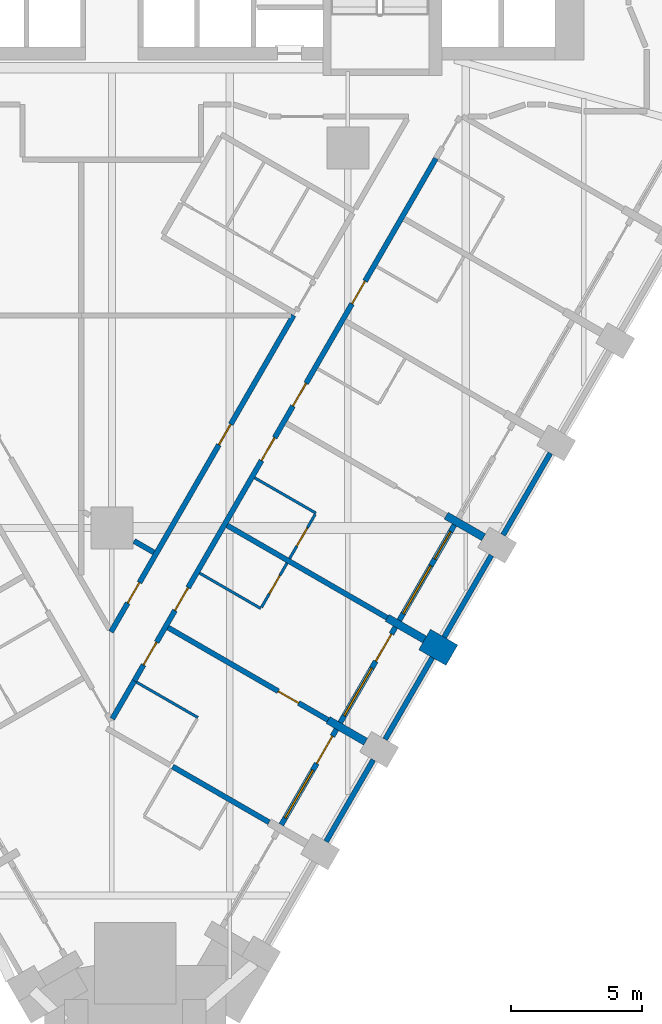
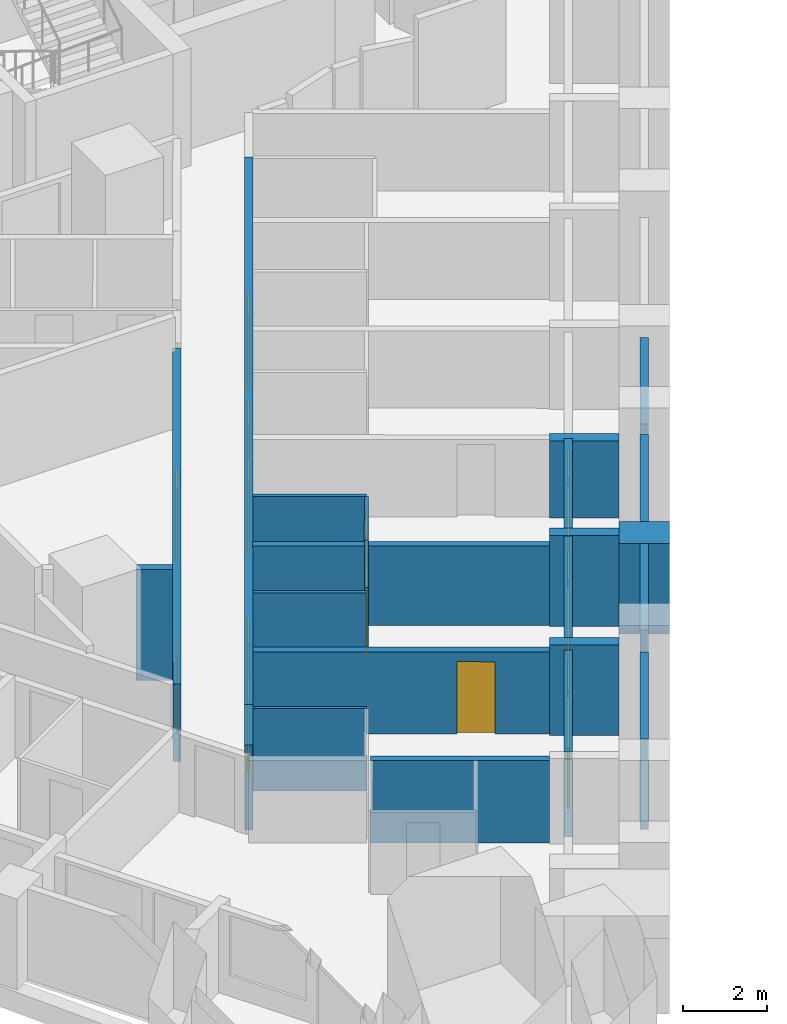
# One storey, part 5 of 12: 23 walls, 13 doors, 3 windows, 16 openings.
"""IFC4 building model written with IfcOpenShell, lengths in metres."""

from ifc_helpers import new_model, si_unit, direction, frame, frame_2d, origin, place, context, subcontext, project, spatial, polyline, rectangle, outline, extrude, material, layer, layer_set, type_object, element, fill, save


model = new_model("IFC4")

# Units and contexts
model_context = context("Model", 3, precision=1e-05, world=origin(), true_north=direction((0.0, 1.0)))
body_context = subcontext(model_context, "Body", "Model", "MODEL_VIEW")
ifc_project = project(units=[si_unit("LENGTHUNIT", "METRE"), si_unit("AREAUNIT", "SQUARE_METRE"), si_unit("VOLUMEUNIT", "CUBIC_METRE"), si_unit("PLANEANGLEUNIT", "RADIAN"), si_unit("MASSUNIT", "GRAM", prefix="KILO")], contexts=[model_context])

# Site, building, storey
site_placement = place(None, origin())
site = spatial("IfcSite", under=ifc_project, at=site_placement, CompositionType="ELEMENT")
building_placement = place(site_placement, origin())
building = spatial("IfcBuilding", under=site, at=building_placement, Name="Calabash Gate Tower", CompositionType="ELEMENT")
storey_placement = place(building_placement, frame((0.0, 0.0, 83.39990234375)))
storey = spatial("IfcBuildingStorey", under=building, at=storey_placement, Name="L17", CompositionType="ELEMENT", Elevation=83.39990234375)

# Walls
ifc_material_1 = material(Name="Terracotta brick masonry, exposed face", Category="masonry")
ifc_layer_1 = layer(ifc_material_1, 1.199951171875)
ifc_layer_set_1 = layer_set([ifc_layer_1], Name="Brick end wall 1200")
wall_type_1 = type_object("IfcWallType", Name="Brick end wall 1200", PredefinedType="SOLIDWALL", material=ifc_layer_set_1)
wall_1_placement = place(storey_placement, frame((11.927978515625, -16.245361328125, 0.0), z_axis=(0.0, 0.0, 1.0), x_axis=(0.865955154139, -0.50012165622, 0.0)))
element("IfcWall", 1, at=wall_1_placement, inside=storey, type_object=wall_type_1, Name="Brick pier S04 SE2.3", PredefinedType="SOLIDWALL", context=body_context, shape_type="SweptSolid", body=[
    extrude(rectangle(XDim=1.199951171875, YDim=0.89990234375, at=frame_2d((0.60009765625, 0.0))), origin(), (0.0, 0.0, 1.0), 2.630126953125),
])
ifc_material_2 = material(Name="Terracotta brick masonry, exposed face", Category="masonry")
ifc_layer_2 = layer(ifc_material_2, 0.300048828125)
ifc_layer_set_2 = layer_set([ifc_layer_2], Name="Brick loggia cheek wall 300")
wall_type_2 = type_object("IfcWallType", Name="Brick loggia cheek wall 300", PredefinedType="SOLIDWALL", material=ifc_layer_set_2)
wall_2_placement = place(storey_placement, frame((9.677734375, -20.142578125, 0.0), z_axis=(0.0, 0.0, 1.0), x_axis=(-0.866003217194, 0.500038426333, 0.0)))
element("IfcWall", 2, at=wall_2_placement, inside=storey, type_object=wall_type_2, Name="Loggia cheek S04 SE2.2", PredefinedType="SOLIDWALL", context=body_context, shape_type="SweptSolid", body=[
    extrude(rectangle(XDim=1.649658203125, YDim=0.300048828125, at=frame_2d((0.82470703125, 0.0))), origin(), (0.0, 0.0, 1.0), 2.628173828125),
])
wall_3_placement = place(storey_placement, frame((10.4990234375, -15.42041015625, 0.0), z_axis=(0.0, 0.0, 1.0), x_axis=(0.866040211805, -0.499974350878, 0.0)))
element("IfcWall", 3, at=wall_3_placement, inside=storey, type_object=wall_type_2, Name="Loggia cheek S04 SE2.3", PredefinedType="SOLIDWALL", context=body_context, shape_type="SweptSolid", body=[
    extrude(rectangle(XDim=1.64990234375, YDim=0.300048828125, at=frame_2d((0.824951171875, 0.0))), origin(), (0.0, 0.0, 1.0), 2.650146484375),
])
wall_4_placement = place(storey_placement, frame((12.7490234375, -11.5234375, 0.0), z_axis=(0.0, 0.0, 1.0), x_axis=(0.865993292597, -0.500055614084, 0.0)))
element("IfcWall", 4, at=wall_4_placement, inside=storey, type_object=wall_type_2, Name="Loggia cheek S04 SE2.4", PredefinedType="SOLIDWALL", context=body_context, shape_type="SweptSolid", body=[
    extrude(rectangle(XDim=1.649169921875, YDim=0.300048828125, at=frame_2d((0.82470703125, 0.0))), origin(), (0.0, 0.0, 1.0), 2.24169921875),
])
ifc_material_3 = material(Name="Gypsum board on steel studs, mineral wool", Category="steel")
ifc_layer_3 = layer(ifc_material_3, 0.10009765625)
ifc_layer_set_3 = layer_set([ifc_layer_3], Name="Partition 100 gypsum board")
wall_type_3 = type_object("IfcWallType", Name="Partition 100 gypsum board", PredefinedType="PARTITIONING", material=ifc_layer_set_3)
wall_5_placement = place(storey_placement, frame((0.94287109375, -17.87255859375, 0.0), z_axis=(0.0, 0.0, 1.0), x_axis=(0.866339109022, -0.499456252518, 0.0)))
element("IfcWall", 5, at=wall_5_placement, inside=storey, type_object=wall_type_3, Name="Partition", PredefinedType="PARTITIONING", context=body_context, shape_type="SweptSolid", body=[
    extrude(rectangle(XDim=2.69970703125, YDim=0.10009765625, at=frame_2d((1.349853515625, 0.0))), origin(), (0.0, 0.0, 1.0), 2.38427734375),
])

# Wall, opening, door
wall_6_placement = place(storey_placement, frame((5.706787109375, -15.020751953125, 0.0), z_axis=(0.0, 0.0, 1.0), x_axis=(0.49995005938, 0.866054235095, 0.0)))
wall_6 = element("IfcWall", 6, at=wall_6_placement, inside=storey, type_object=wall_type_3, Name="Partition", PredefinedType="PARTITIONING", context=body_context, shape_type="SweptSolid", body=[
    extrude(rectangle(XDim=1.949951171875, YDim=0.10009765625, at=frame_2d((0.97509765625, 0.0))), origin(), (0.0, 0.0, 1.0), 2.4736328125),
])
opening_1_placement = place(wall_6_placement, frame((0.60009765625, 0.0, 0.0)))
opening_1 = element("IfcOpeningElement", 7, at=opening_1_placement, cuts=wall_6, Name="Opening 15-17-016", PredefinedType="OPENING", context=body_context, shape_type="SweptSolid", body=[
    extrude(rectangle(XDim=0.800048828125, YDim=2.10009765625, at=frame_2d((0.39990234375, 1.050048828125))), frame((0.0, 0.06005859375, 0.0), z_axis=(0.0, -1.0, 0.0), x_axis=(1.0, 0.0, 0.0)), (0.0, 0.0, 1.0), 0.1201171875),
])
ifc_material_4 = material(Name="Painted timber door", Category="wood")
door_type_1 = type_object("IfcDoorType", Name="GD5 En-suite door 800x2100", OperationType="NOTDEFINED", PredefinedType="DOOR", material=ifc_material_4)
door_1_placement = place(opening_1_placement, origin())
door_1 = element("IfcDoor", 8, at=door_1_placement, inside=storey, type_object=door_type_1, Name="En-suite door", OperationType="SINGLE_SWING_RIGHT", OverallHeight=2.10009765625, OverallWidth=0.800048828125, PredefinedType="DOOR", context=body_context, shape_type="SweptSolid", body=[
    extrude(rectangle(XDim=0.800048828125, YDim=2.10009765625, at=frame_2d((0.39990234375, 1.050048828125))), frame((0.0, 0.02490234375, 0.0), z_axis=(0.0, -1.0, 0.0), x_axis=(1.0, 0.0, 0.0)), (0.0, 0.0, 1.0), 0.050048828125),
])
fill(opening_1, door_1)

# Wall
wall_7_placement = place(storey_placement, frame((3.344482421875, -13.712890625, 0.0), z_axis=(0.0, 0.0, 1.0), x_axis=(0.86571095196, -0.500544251447, 0.0)))
element("IfcWall", 9, at=wall_7_placement, inside=storey, type_object=wall_type_3, Name="Partition", PredefinedType="PARTITIONING", context=body_context, shape_type="SweptSolid", body=[
    extrude(rectangle(XDim=2.69970703125, YDim=0.10009765625, at=frame_2d((1.349853515625, 0.0))), origin(), (0.0, 0.0, 1.0), 2.38427734375),
])

# Wall, opening, door
wall_8_placement = place(storey_placement, frame((6.780517578125, -13.157958984375, 0.0), z_axis=(0.0, 0.0, 1.0), x_axis=(0.50063639091, 0.865657671425, 0.0)))
wall_8 = element("IfcWall", 10, at=wall_8_placement, inside=storey, type_object=wall_type_3, Name="Partition", PredefinedType="PARTITIONING", context=body_context, shape_type="SweptSolid", body=[
    extrude(rectangle(XDim=1.94970703125, YDim=0.10009765625, at=frame_2d((0.974853515625, 0.0))), origin(), (0.0, 0.0, 1.0), 2.24169921875),
])
opening_2_placement = place(wall_8_placement, frame((0.5498046875, 0.0, 0.0)))
opening_2 = element("IfcOpeningElement", 11, at=opening_2_placement, cuts=wall_8, Name="Opening 15-17-019", PredefinedType="OPENING", context=body_context, shape_type="SweptSolid", body=[
    extrude(rectangle(XDim=0.800048828125, YDim=2.10009765625, at=frame_2d((0.39990234375, 1.050048828125))), frame((0.0, 0.06005859375, 0.0), z_axis=(0.0, -1.0, 0.0), x_axis=(1.0, 0.0, 0.0)), (0.0, 0.0, 1.0), 0.1201171875),
])
door_2_placement = place(opening_2_placement, origin())
door_2 = element("IfcDoor", 12, at=door_2_placement, inside=storey, type_object=door_type_1, Name="En-suite door", OperationType="SINGLE_SWING_LEFT", OverallHeight=2.10009765625, OverallWidth=0.800048828125, PredefinedType="DOOR", context=body_context, shape_type="SweptSolid", body=[
    extrude(rectangle(XDim=0.800048828125, YDim=2.10009765625, at=frame_2d((0.39990234375, 1.050048828125))), frame((0.0, 0.02490234375, 0.0), z_axis=(0.0, -1.0, 0.0), x_axis=(1.0, 0.0, 0.0)), (0.0, 0.0, 1.0), 0.050048828125),
])
fill(opening_2, door_2)

# Walls
wall_9_placement = place(storey_placement, frame((5.44287109375, -10.078369140625, 0.0), z_axis=(0.0, 0.0, 1.0), x_axis=(0.866339109022, -0.499456252518, 0.0)))
element("IfcWall", 13, at=wall_9_placement, inside=storey, type_object=wall_type_3, Name="Partition", PredefinedType="PARTITIONING", context=body_context, shape_type="SweptSolid", body=[
    extrude(rectangle(XDim=2.69970703125, YDim=0.10009765625, at=frame_2d((1.349853515625, 0.0))), origin(), (0.0, 0.0, 1.0), 2.24169921875),
])
ifc_material_5 = material(Name="Gypsum board on steel studs, mineral wool", Category="steel")
ifc_layer_4 = layer(ifc_material_5, 0.199951171875)
ifc_layer_set_4 = layer_set([ifc_layer_4], Name="Partition 200 gypsum board EI 60")
wall_type_4 = type_object("IfcWallType", Name="Partition 200 gypsum board EI 60", PredefinedType="PARTITIONING", material=ifc_layer_set_4)
wall_10_placement = place(storey_placement, frame((2.3173828125, -21.09130859375, 0.0), z_axis=(0.0, 0.0, 1.0), x_axis=(0.866014341725, -0.50001915956, 0.0)))
element("IfcWall", 14, at=wall_10_placement, inside=storey, type_object=wall_type_4, Name="Partition", PredefinedType="PARTITIONING", context=body_context, shape_type="SweptSolid", body=[
    extrude(rectangle(XDim=4.249755859375, YDim=0.199951171875, at=frame_2d((2.125, 0.0))), origin(), (0.0, 0.0, 1.0), 2.38427734375),
])
wall_11_placement = place(storey_placement, frame((0.02099609375, -19.268798828125, 0.0), z_axis=(0.0, 0.0, 1.0), x_axis=(0.501053540398, 0.865416286913, 0.0)))
element("IfcWall", 15, at=wall_11_placement, inside=storey, type_object=wall_type_4, Name="Partition", PredefinedType="PARTITIONING", context=body_context, shape_type="SweptSolid", body=[
    extrude(rectangle(XDim=1.671875, YDim=0.199951171875, at=frame_2d((0.8359375, 0.0))), origin(), (0.0, 0.0, 1.0), 2.4736328125),
])

# Wall, openings, doors
wall_12_placement = place(storey_placement, frame((-0.02880859375, -15.95458984375, 0.0), z_axis=(0.0, 0.0, 1.0), x_axis=(0.499541892375, 0.866289730842, 0.0)))
wall_12 = element("IfcWall", 16, at=wall_12_placement, inside=storey, type_object=wall_type_4, Name="Partition", PredefinedType="PARTITIONING", context=body_context, shape_type="SweptSolid", body=[
    extrude(rectangle(XDim=13.93017578125, YDim=0.199951171875, at=frame_2d((6.965087890625, 0.0))), origin(), (0.0, 0.0, 1.0), 2.24169921875),
])
opening_3_placement = place(wall_12_placement, frame((1.26953125, 0.0, 0.0)))
opening_3 = element("IfcOpeningElement", 17, at=opening_3_placement, cuts=wall_12, Name="Opening 15-17-029", PredefinedType="OPENING", context=body_context, shape_type="SweptSolid", body=[
    extrude(rectangle(XDim=0.89990234375, YDim=2.10009765625, at=frame_2d((0.449951171875, 1.050048828125))), frame((0.0, 0.10986328125, 0.0), z_axis=(0.0, -1.0, 0.0), x_axis=(1.0, 0.0, 0.0)), (0.0, 0.0, 1.0), 0.219970703125),
])
opening_4_placement = place(wall_12_placement, frame((8.23486328125, 0.0, 0.0)))
opening_4 = element("IfcOpeningElement", 18, at=opening_4_placement, cuts=wall_12, Name="Opening 15-17-030", PredefinedType="OPENING", context=body_context, shape_type="SweptSolid", body=[
    extrude(rectangle(XDim=0.89990234375, YDim=2.10009765625, at=frame_2d((0.449951171875, 1.050048828125))), frame((0.0, 0.10986328125, 0.0), z_axis=(0.0, -1.0, 0.0), x_axis=(1.0, 0.0, 0.0)), (0.0, 0.0, 1.0), 0.219970703125),
])
ifc_material_6 = material(Name="Steel fire door set with fire-resisting glazing", Category="steel")
door_type_2 = type_object("IfcDoorType", Name="SD3 Store door 900x2100", OperationType="NOTDEFINED", PredefinedType="DOOR", material=ifc_material_6)
door_3_placement = place(opening_3_placement, origin())
door_3 = element("IfcDoor", 19, at=door_3_placement, inside=storey, type_object=door_type_2, Name="Store door", OperationType="SINGLE_SWING_LEFT", OverallHeight=2.10009765625, OverallWidth=0.89990234375, PredefinedType="DOOR", context=body_context, shape_type="SweptSolid", body=[
    extrude(rectangle(XDim=0.89990234375, YDim=2.10009765625, at=frame_2d((0.449951171875, 1.050048828125))), frame((0.0, 0.02490234375, 0.0), z_axis=(0.0, -1.0, 0.0), x_axis=(1.0, 0.0, 0.0)), (0.0, 0.0, 1.0), 0.050048828125),
])
fill(opening_3, door_3)
door_4_placement = place(opening_4_placement, origin())
door_4 = element("IfcDoor", 20, at=door_4_placement, inside=storey, type_object=door_type_2, Name="Store door", OperationType="SINGLE_SWING_RIGHT", OverallHeight=2.10009765625, OverallWidth=0.89990234375, PredefinedType="DOOR", context=body_context, shape_type="SweptSolid", body=[
    extrude(rectangle(XDim=0.89990234375, YDim=2.10009765625, at=frame_2d((0.449951171875, 1.050048828125))), frame((0.0, 0.02490234375, 0.0), z_axis=(0.0, -1.0, 0.0), x_axis=(1.0, 0.0, 0.0)), (0.0, 0.0, 1.0), 0.050048828125),
])
fill(opening_4, door_4)

# Wall, opening, door
wall_13_placement = place(storey_placement, frame((2.14453125, -15.791015625, 0.0), z_axis=(0.0, 0.0, 1.0), x_axis=(0.865906406618, -0.500206052519, 0.0)))
wall_13 = element("IfcWall", 21, at=wall_13_placement, inside=storey, type_object=wall_type_4, Name="Partition", PredefinedType="PARTITIONING", context=body_context, shape_type="SweptSolid", body=[
    extrude(rectangle(XDim=7.0498046875, YDim=0.199951171875, at=frame_2d((3.52490234375, 0.0))), origin(), (0.0, 0.0, 1.0), 2.38427734375),
])
opening_5_placement = place(wall_13_placement, frame((4.849853515625, 0.0, 0.0)))
opening_5 = element("IfcOpeningElement", 22, at=opening_5_placement, cuts=wall_13, Name="Opening 15-17-017", PredefinedType="OPENING", context=body_context, shape_type="SweptSolid", body=[
    extrude(rectangle(XDim=0.89990234375, YDim=2.10009765625, at=frame_2d((0.449951171875, 1.050048828125))), frame((0.0, 0.10986328125, 0.0), z_axis=(0.0, -1.0, 0.0), x_axis=(1.0, 0.0, 0.0)), (0.0, 0.0, 1.0), 0.219970703125),
])
ifc_material_7 = material(Name="Steel fire door set with fire-resisting glazing", Category="steel")
door_type_3 = type_object("IfcDoorType", Name="GD4 Connecting door 900x2100", OperationType="NOTDEFINED", PredefinedType="DOOR", material=ifc_material_7)
door_5_placement = place(opening_5_placement, origin())
door_5 = element("IfcDoor", 23, at=door_5_placement, inside=storey, type_object=door_type_3, Name="Connecting door", OperationType="SINGLE_SWING_RIGHT", OverallHeight=2.10009765625, OverallWidth=0.89990234375, PredefinedType="DOOR", context=body_context, shape_type="SweptSolid", body=[
    extrude(rectangle(XDim=0.89990234375, YDim=2.10009765625, at=frame_2d((0.449951171875, 1.050048828125))), frame((0.0, 0.02490234375, 0.0), z_axis=(0.0, -1.0, 0.0), x_axis=(1.0, 0.0, 0.0)), (0.0, 0.0, 1.0), 0.050048828125),
])
fill(opening_5, door_5)

# Walls
wall_14_placement = place(storey_placement, frame((0.85009765625, -12.490478515625, 0.0), z_axis=(0.0, 0.0, 1.0), x_axis=(0.866960927484, -0.498376113207, 0.0)))
element("IfcWall", 24, at=wall_14_placement, inside=storey, type_object=wall_type_4, Name="Partition", PredefinedType="PARTITIONING", context=body_context, shape_type="SweptSolid", body=[
    extrude(rectangle(XDim=0.869140625, YDim=0.199951171875, at=frame_2d((0.4345703125, 0.0))), origin(), (0.0, 0.0, 1.0), 3.22998046875),
])
wall_15_placement = place(storey_placement, frame((4.39453125, -11.893798828125, 0.0), z_axis=(0.0, 0.0, 1.0), x_axis=(0.866031034943, -0.499990246421, 0.0)))
element("IfcWall", 25, at=wall_15_placement, inside=storey, type_object=wall_type_4, Name="Partition", PredefinedType="PARTITIONING", context=body_context, shape_type="SweptSolid", body=[
    extrude(rectangle(XDim=7.050048828125, YDim=0.199951171875, at=frame_2d((3.52490234375, 0.0))), origin(), (0.0, 0.0, 1.0), 2.302490234375),
])

# Wall, openings, doors
wall_16_placement = place(storey_placement, frame((0.858642578125, -17.82177734375, 0.0), z_axis=(0.0, 0.0, 1.0), x_axis=(0.500002395808, 0.866024020559, 0.0)))
wall_16 = element("IfcWall", 26, at=wall_16_placement, inside=storey, type_object=wall_type_4, Name="Partition", PredefinedType="PARTITIONING", context=body_context, shape_type="SweptSolid", body=[
    extrude(rectangle(XDim=23.0, YDim=0.199951171875, at=frame_2d((11.5, 0.0))), origin(), (0.0, 0.0, 1.0), 2.24169921875),
])
opening_6_placement = place(wall_16_placement, frame((0.69970703125, 0.0, 0.0)))
opening_6 = element("IfcOpeningElement", 27, at=opening_6_placement, cuts=wall_16, Name="Opening 15-17-013", PredefinedType="OPENING", context=body_context, shape_type="SweptSolid", body=[
    extrude(rectangle(XDim=1.0, YDim=2.10009765625, at=frame_2d((0.5, 1.050048828125))), frame((0.0, 0.10986328125, 0.0), z_axis=(0.0, -1.0, 0.0), x_axis=(1.0, 0.0, 0.0)), (0.0, 0.0, 1.0), 0.219970703125),
])
opening_7_placement = place(wall_16_placement, frame((3.099853515625, 0.0, 0.0)))
opening_7 = element("IfcOpeningElement", 28, at=opening_7_placement, cuts=wall_16, Name="Opening 15-17-015", PredefinedType="OPENING", context=body_context, shape_type="SweptSolid", body=[
    extrude(rectangle(XDim=1.0, YDim=2.10009765625, at=frame_2d((0.5, 1.050048828125))), frame((0.0, 0.10986328125, 0.0), z_axis=(0.0, -1.0, 0.0), x_axis=(1.0, 0.0, 0.0)), (0.0, 0.0, 1.0), 0.219970703125),
])
opening_8_placement = place(wall_16_placement, frame((9.69970703125, 0.0, 0.0)))
opening_8 = element("IfcOpeningElement", 29, at=opening_8_placement, cuts=wall_16, Name="Opening 15-17-018", PredefinedType="OPENING", context=body_context, shape_type="SweptSolid", body=[
    extrude(rectangle(XDim=1.0, YDim=2.10009765625, at=frame_2d((0.5, 1.050048828125))), frame((0.0, 0.10986328125, 0.0), z_axis=(0.0, -1.0, 0.0), x_axis=(1.0, 0.0, 0.0)), (0.0, 0.0, 1.0), 0.219970703125),
])
opening_9_placement = place(wall_16_placement, frame((12.099609375, 0.0, 0.0)))
opening_9 = element("IfcOpeningElement", 30, at=opening_9_placement, cuts=wall_16, Name="Opening 15-17-020", PredefinedType="OPENING", context=body_context, shape_type="SweptSolid", body=[
    extrude(rectangle(XDim=1.0, YDim=2.10009765625, at=frame_2d((0.5, 1.050048828125))), frame((0.0, 0.10986328125, 0.0), z_axis=(0.0, -1.0, 0.0), x_axis=(1.0, 0.0, 0.0)), (0.0, 0.0, 1.0), 0.219970703125),
])
opening_10_placement = place(wall_16_placement, frame((16.599609375, 0.0, 0.0)))
opening_10 = element("IfcOpeningElement", 31, at=opening_10_placement, cuts=wall_16, Name="Opening 15-17-023", PredefinedType="OPENING", context=body_context, shape_type="SweptSolid", body=[
    extrude(rectangle(XDim=1.0, YDim=2.10009765625, at=frame_2d((0.5, 1.050048828125))), frame((0.0, 0.10986328125, 0.0), z_axis=(0.0, -1.0, 0.0), x_axis=(1.0, 0.0, 0.0)), (0.0, 0.0, 1.0), 0.219970703125),
])
ifc_material_8 = material(Name="Steel fire door set with fire-resisting glazing", Category="steel")
door_type_4 = type_object("IfcDoorType", Name="GD1 Guest room entrance door 1000x2100", OperationType="NOTDEFINED", PredefinedType="DOOR", material=ifc_material_8)
door_6_placement = place(opening_6_placement, origin())
door_6 = element("IfcDoor", 32, at=door_6_placement, inside=storey, type_object=door_type_4, Name="Guest room entrance door", OperationType="SINGLE_SWING_LEFT", OverallHeight=2.10009765625, OverallWidth=1.0, PredefinedType="DOOR", context=body_context, shape_type="SweptSolid", body=[
    extrude(rectangle(XDim=1.0, YDim=2.10009765625, at=frame_2d((0.5, 1.050048828125))), frame((0.0, 0.02490234375, 0.0), z_axis=(0.0, -1.0, 0.0), x_axis=(1.0, 0.0, 0.0)), (0.0, 0.0, 1.0), 0.050048828125),
])
fill(opening_6, door_6)
door_7_placement = place(opening_7_placement, origin())
door_7 = element("IfcDoor", 33, at=door_7_placement, inside=storey, type_object=door_type_4, Name="Guest room entrance door", OperationType="SINGLE_SWING_RIGHT", OverallHeight=2.10009765625, OverallWidth=1.0, PredefinedType="DOOR", context=body_context, shape_type="SweptSolid", body=[
    extrude(rectangle(XDim=1.0, YDim=2.10009765625, at=frame_2d((0.5, 1.050048828125))), frame((0.0, 0.02490234375, 0.0), z_axis=(0.0, -1.0, 0.0), x_axis=(1.0, 0.0, 0.0)), (0.0, 0.0, 1.0), 0.050048828125),
])
fill(opening_7, door_7)
door_8_placement = place(opening_8_placement, origin())
door_8 = element("IfcDoor", 34, at=door_8_placement, inside=storey, type_object=door_type_4, Name="Guest room entrance door", OperationType="SINGLE_SWING_LEFT", OverallHeight=2.10009765625, OverallWidth=1.0, PredefinedType="DOOR", context=body_context, shape_type="SweptSolid", body=[
    extrude(rectangle(XDim=1.0, YDim=2.10009765625, at=frame_2d((0.5, 1.050048828125))), frame((0.0, 0.02490234375, 0.0), z_axis=(0.0, -1.0, 0.0), x_axis=(1.0, 0.0, 0.0)), (0.0, 0.0, 1.0), 0.050048828125),
])
fill(opening_8, door_8)
door_9_placement = place(opening_9_placement, origin())
door_9 = element("IfcDoor", 35, at=door_9_placement, inside=storey, type_object=door_type_4, Name="Guest room entrance door", OperationType="SINGLE_SWING_RIGHT", OverallHeight=2.10009765625, OverallWidth=1.0, PredefinedType="DOOR", context=body_context, shape_type="SweptSolid", body=[
    extrude(rectangle(XDim=1.0, YDim=2.10009765625, at=frame_2d((0.5, 1.050048828125))), frame((0.0, 0.02490234375, 0.0), z_axis=(0.0, -1.0, 0.0), x_axis=(1.0, 0.0, 0.0)), (0.0, 0.0, 1.0), 0.050048828125),
])
fill(opening_9, door_9)
door_10_placement = place(opening_10_placement, origin())
door_10 = element("IfcDoor", 36, at=door_10_placement, inside=storey, type_object=door_type_4, Name="Guest room entrance door", OperationType="SINGLE_SWING_RIGHT", OverallHeight=2.10009765625, OverallWidth=1.0, PredefinedType="DOOR", context=body_context, shape_type="SweptSolid", body=[
    extrude(rectangle(XDim=1.0, YDim=2.10009765625, at=frame_2d((0.5, 1.050048828125))), frame((0.0, 0.02490234375, 0.0), z_axis=(0.0, -1.0, 0.0), x_axis=(1.0, 0.0, 0.0)), (0.0, 0.0, 1.0), 0.050048828125),
])
fill(opening_10, door_10)

# Walls
ifc_material_9 = material(Name="Terracotta brick masonry, perforated", Category="masonry")
ifc_layer_5 = layer(ifc_material_9, 0.199951171875)
ifc_layer_set_5 = layer_set([ifc_layer_5], Name="Terracotta jaali screen B")
wall_type_5 = type_object("IfcWallType", Name="Terracotta jaali screen B", PredefinedType="SOLIDWALL", material=ifc_layer_set_5)
wall_17_placement = place(storey_placement, origin())
element("IfcWall", 37, at=wall_17_placement, inside=storey, type_object=wall_type_5, Name="SCREEN B S04 SE2.2", PredefinedType="SOLIDWALL", context=body_context, shape_type="SweptSolid", body=[
    extrude(outline(polyline([(8.259033203125, -24.0), (10.058837890625, -20.8828125), (9.885498046875, -20.78271484375), (8.0859375, -23.89990234375), (8.259033203125, -24.0)])), origin(), (0.0, 0.0, 1.0), 2.630126953125),
])
for number, where, z_axis, x_axis, name in (
    (38, (10.42236328125, -20.052734375, 0.0), (0.0, 0.0, 1.0), (0.500012057535, 0.866018442252, 0.0), "SCREEN B S04 SE2.3"),
    (39, (12.67236328125, -16.15576171875, 0.0), (0.0, 0.0, 1.0), (0.500012057535, 0.866018442252, 0.0), "SCREEN B S04 SE2.4"),
):
    element("IfcWall", number, at=place(storey_placement, frame(where, z_axis=z_axis, x_axis=x_axis)), inside=storey, type_object=wall_type_5, Name=name, PredefinedType="SOLIDWALL", context=body_context, shape_type="SweptSolid", body=[
        extrude(rectangle(XDim=3.60009765625, YDim=0.199951171875, at=frame_2d((1.800048828125, 0.0))), origin(), (0.0, 0.0, 1.0), 2.630126953125),
    ])
wall_18_placement = place(storey_placement, frame((14.92236328125, -12.258544921875, 0.0), z_axis=(0.0, 0.0, 1.0), x_axis=(0.500012057535, 0.866018442252, 0.0)))
element("IfcWall", 40, at=wall_18_placement, inside=storey, type_object=wall_type_5, Name="SCREEN B S04 SE2.5", PredefinedType="SOLIDWALL", context=body_context, shape_type="SweptSolid", body=[
    extrude(rectangle(XDim=3.60009765625, YDim=0.199951171875, at=frame_2d((1.800048828125, 0.0))), origin(), (0.0, 0.0, 1.0), 2.302490234375),
])

# Wall, openings, door, window
ifc_material_10 = material(Name="Aluminium framed window wall with insulated spandrel", Category="aluminium")
ifc_layer_6 = layer(ifc_material_10, 0.199951171875)
ifc_layer_set_6 = layer_set([ifc_layer_6], Name="Window wall 200")
wall_type_6 = type_object("IfcWallType", Name="Window wall 200", PredefinedType="ELEMENTEDWALL", material=ifc_layer_set_6)
wall_19_placement = place(storey_placement, frame((6.463623046875, -23.309814453125, 0.0), z_axis=(0.0, 0.0, 1.0), x_axis=(0.500002543286, 0.866023935413, 0.0)))
wall_19 = element("IfcWall", 41, at=wall_19_placement, inside=storey, type_object=wall_type_6, Name="Window wall S04 SE2.2", PredefinedType="ELEMENTEDWALL", context=body_context, shape_type="SweptSolid", body=[
    extrude(rectangle(XDim=4.2001953125, YDim=0.199951171875, at=frame_2d((2.10009765625, 0.0))), origin(), (0.0, 0.0, 1.0), 2.4736328125),
])
opening_11_placement = place(wall_19_placement, frame((0.300048828125, 0.0, 0.60009765625)))
opening_11 = element("IfcOpeningElement", 42, at=opening_11_placement, cuts=wall_19, Name="Opening HW1L-1770", PredefinedType="OPENING", context=body_context, shape_type="SweptSolid", body=[
    extrude(rectangle(XDim=2.10009765625, YDim=1.77001953125, at=frame_2d((1.050048828125, 0.885009765625))), frame((0.0, 0.10986328125, 0.0), z_axis=(0.0, -1.0, 0.0), x_axis=(1.0, 0.0, 0.0)), (0.0, 0.0, 1.0), 0.219970703125),
])
opening_12_placement = place(wall_19_placement, frame((2.699951171875, 0.0, 0.0)))
opening_12 = element("IfcOpeningElement", 43, at=opening_12_placement, cuts=wall_19, Name="Opening H4-019", PredefinedType="OPENING", context=body_context, shape_type="SweptSolid", body=[
    extrude(rectangle(XDim=1.199951171875, YDim=2.3701171875, at=frame_2d((0.60009765625, 1.18505859375))), frame((0.0, 0.10986328125, 0.0), z_axis=(0.0, -1.0, 0.0), x_axis=(1.0, 0.0, 0.0)), (0.0, 0.0, 1.0), 0.219970703125),
])
ifc_material_11 = material(Name="Anodised aluminium frame, bronze finish, impact-rated laminated clear glazing", Category="aluminium")
door_type_5 = type_object("IfcDoorType", Name="Loggia door DH1L-2370 1200x2370", OperationType="SLIDING_TO_LEFT", PredefinedType="DOOR", material=ifc_material_11)
door_11_placement = place(opening_12_placement, origin())
door_11 = element("IfcDoor", 44, at=door_11_placement, inside=storey, type_object=door_type_5, Name="Loggia door S04 SE2.2", OperationType="SINGLE_SWING_LEFT", OverallHeight=2.3701171875, OverallWidth=1.199951171875, PredefinedType="DOOR", context=body_context, shape_type="SweptSolid", body=[
    extrude(rectangle(XDim=1.199951171875, YDim=2.3701171875, at=frame_2d((0.60009765625, 1.18505859375))), frame((0.0, 0.02490234375, 0.0), z_axis=(0.0, -1.0, 0.0), x_axis=(1.0, 0.0, 0.0)), (0.0, 0.0, 1.0), 0.050048828125),
])
fill(opening_12, door_11)
ifc_material_12 = material(Name="Anodised aluminium frame, bronze finish, impact-rated laminated clear glazing", Category="aluminium")
window_type_1 = type_object("IfcWindowType", Name="Window HW1L 2100x1770", PartitioningType="DOUBLE_PANEL_VERTICAL", PredefinedType="WINDOW", material=ifc_material_12)
window_1_placement = place(opening_11_placement, origin())
window_1 = element("IfcWindow", 45, at=window_1_placement, inside=storey, type_object=window_type_1, Name="Window HW1 S04 SE2.2", OverallHeight=1.77001953125, OverallWidth=2.10009765625, PartitioningType="SINGLE_PANEL", PredefinedType="WINDOW", context=body_context, shape_type="SweptSolid", body=[
    extrude(rectangle(XDim=2.10009765625, YDim=1.77001953125, at=frame_2d((1.050048828125, 0.885009765625))), frame((0.0, 0.030029296875, 0.0), z_axis=(0.0, -1.0, 0.0), x_axis=(1.0, 0.0, 0.0)), (0.0, 0.0, 1.0), 0.06005859375),
])
fill(opening_11, window_1)

wall_20_placement = place(storey_placement, frame((8.713623046875, -19.41259765625, 0.0), z_axis=(0.0, 0.0, 1.0), x_axis=(0.500027713859, 0.866009402589, 0.0)))
wall_20 = element("IfcWall", 46, at=wall_20_placement, inside=storey, type_object=wall_type_6, Name="Window wall S04 SE2.3", PredefinedType="ELEMENTEDWALL", context=body_context, shape_type="SweptSolid", body=[
    extrude(rectangle(XDim=4.199951171875, YDim=0.199951171875, at=frame_2d((2.10009765625, 0.0))), origin(), (0.0, 0.0, 1.0), 2.628173828125),
])
opening_13_placement = place(wall_20_placement, frame((0.300048828125, 0.0, 0.60009765625)))
opening_13 = element("IfcOpeningElement", 47, at=opening_13_placement, cuts=wall_20, Name="Opening HW1", PredefinedType="OPENING", context=body_context, shape_type="SweptSolid", body=[
    extrude(rectangle(XDim=2.10009765625, YDim=1.800048828125, at=frame_2d((1.050048828125, 0.89990234375))), frame((0.0, 0.10986328125, 0.0), z_axis=(0.0, -1.0, 0.0), x_axis=(1.0, 0.0, 0.0)), (0.0, 0.0, 1.0), 0.219970703125),
])
opening_14_placement = place(wall_20_placement, frame((2.699951171875, 0.0, 0.0)))
opening_14 = element("IfcOpeningElement", 48, at=opening_14_placement, cuts=wall_20, Name="Opening H4-020", PredefinedType="OPENING", context=body_context, shape_type="SweptSolid", body=[
    extrude(rectangle(XDim=1.199951171875, YDim=2.39990234375, at=frame_2d((0.60009765625, 1.199951171875))), frame((0.0, 0.10986328125, 0.0), z_axis=(0.0, -1.0, 0.0), x_axis=(1.0, 0.0, 0.0)), (0.0, 0.0, 1.0), 0.219970703125),
])
ifc_material_13 = material(Name="Anodised aluminium frame, bronze finish, impact-rated laminated clear glazing", Category="aluminium")
door_type_6 = type_object("IfcDoorType", Name="Loggia door DH1 1200x2400", OperationType="SLIDING_TO_LEFT", PredefinedType="DOOR", material=ifc_material_13)
door_12_placement = place(opening_14_placement, origin())
door_12 = element("IfcDoor", 49, at=door_12_placement, inside=storey, type_object=door_type_6, Name="Loggia door S04 SE2.3", OperationType="SINGLE_SWING_LEFT", OverallHeight=2.39990234375, OverallWidth=1.199951171875, PredefinedType="DOOR", context=body_context, shape_type="SweptSolid", body=[
    extrude(rectangle(XDim=1.199951171875, YDim=2.39990234375, at=frame_2d((0.60009765625, 1.199951171875))), frame((0.0, 0.02490234375, 0.0), z_axis=(0.0, -1.0, 0.0), x_axis=(1.0, 0.0, 0.0)), (0.0, 0.0, 1.0), 0.050048828125),
])
fill(opening_14, door_12)
ifc_material_14 = material(Name="Anodised aluminium frame, bronze finish, impact-rated laminated clear glazing", Category="aluminium")
window_type_2 = type_object("IfcWindowType", Name="Window HW1 2100x1800", PartitioningType="DOUBLE_PANEL_VERTICAL", PredefinedType="WINDOW", material=ifc_material_14)
window_2_placement = place(opening_13_placement, origin())
window_2 = element("IfcWindow", 50, at=window_2_placement, inside=storey, type_object=window_type_2, Name="Window HW1 S04 SE2.3", OverallHeight=1.800048828125, OverallWidth=2.10009765625, PartitioningType="SINGLE_PANEL", PredefinedType="WINDOW", context=body_context, shape_type="SweptSolid", body=[
    extrude(rectangle(XDim=2.10009765625, YDim=1.800048828125, at=frame_2d((1.050048828125, 0.89990234375))), frame((0.0, 0.030029296875, 0.0), z_axis=(0.0, -1.0, 0.0), x_axis=(1.0, 0.0, 0.0)), (0.0, 0.0, 1.0), 0.06005859375),
])
fill(opening_13, window_2)

wall_21_placement = place(storey_placement, frame((10.963623046875, -15.515625, 0.0), z_axis=(0.0, 0.0, 1.0), x_axis=(0.500002543286, 0.866023935413, 0.0)))
wall_21 = element("IfcWall", 51, at=wall_21_placement, inside=storey, type_object=wall_type_6, Name="Window wall S04 SE2.4", PredefinedType="ELEMENTEDWALL", context=body_context, shape_type="SweptSolid", body=[
    extrude(rectangle(XDim=4.2001953125, YDim=0.199951171875, at=frame_2d((2.10009765625, 0.0))), origin(), (0.0, 0.0, 1.0), 2.302490234375),
])
opening_15_placement = place(wall_21_placement, frame((0.300048828125, 0.0, 0.60009765625)))
opening_15 = element("IfcOpeningElement", 52, at=opening_15_placement, cuts=wall_21, Name="Opening HW1L-1600", PredefinedType="OPENING", context=body_context, shape_type="SweptSolid", body=[
    extrude(rectangle(XDim=2.10009765625, YDim=1.60009765625, at=frame_2d((1.050048828125, 0.800048828125))), frame((0.0, 0.10986328125, 0.0), z_axis=(0.0, -1.0, 0.0), x_axis=(1.0, 0.0, 0.0)), (0.0, 0.0, 1.0), 0.219970703125),
])
opening_16_placement = place(wall_21_placement, frame((2.699951171875, 0.0, 0.0)))
opening_16 = element("IfcOpeningElement", 53, at=opening_16_placement, cuts=wall_21, Name="Opening H4-021", PredefinedType="OPENING", context=body_context, shape_type="SweptSolid", body=[
    extrude(rectangle(XDim=1.199951171875, YDim=2.199951171875, at=frame_2d((0.60009765625, 1.10009765625))), frame((0.0, 0.10986328125, 0.0), z_axis=(0.0, -1.0, 0.0), x_axis=(1.0, 0.0, 0.0)), (0.0, 0.0, 1.0), 0.219970703125),
])
ifc_material_15 = material(Name="Anodised aluminium frame, bronze finish, impact-rated laminated clear glazing", Category="aluminium")
door_type_7 = type_object("IfcDoorType", Name="Loggia door DH1L-2200 1200x2200", OperationType="SLIDING_TO_LEFT", PredefinedType="DOOR", material=ifc_material_15)
door_13_placement = place(opening_16_placement, origin())
door_13 = element("IfcDoor", 54, at=door_13_placement, inside=storey, type_object=door_type_7, Name="Loggia door S04 SE2.4", OperationType="SINGLE_SWING_LEFT", OverallHeight=2.199951171875, OverallWidth=1.199951171875, PredefinedType="DOOR", context=body_context, shape_type="SweptSolid", body=[
    extrude(rectangle(XDim=1.199951171875, YDim=2.199951171875, at=frame_2d((0.60009765625, 1.10009765625))), frame((0.0, 0.02490234375, 0.0), z_axis=(0.0, -1.0, 0.0), x_axis=(1.0, 0.0, 0.0)), (0.0, 0.0, 1.0), 0.050048828125),
])
fill(opening_16, door_13)
ifc_material_16 = material(Name="Anodised aluminium frame, bronze finish, impact-rated laminated clear glazing", Category="aluminium")
window_type_3 = type_object("IfcWindowType", Name="Window HW1L 2100x1600", PartitioningType="DOUBLE_PANEL_VERTICAL", PredefinedType="WINDOW", material=ifc_material_16)
window_3_placement = place(opening_15_placement, origin())
window_3 = element("IfcWindow", 55, at=window_3_placement, inside=storey, type_object=window_type_3, Name="Window HW1 S04 SE2.4", OverallHeight=1.60009765625, OverallWidth=2.10009765625, PartitioningType="SINGLE_PANEL", PredefinedType="WINDOW", context=body_context, shape_type="SweptSolid", body=[
    extrude(rectangle(XDim=2.10009765625, YDim=1.60009765625, at=frame_2d((1.050048828125, 0.800048828125))), frame((0.0, 0.030029296875, 0.0), z_axis=(0.0, -1.0, 0.0), x_axis=(1.0, 0.0, 0.0)), (0.0, 0.0, 1.0), 0.06005859375),
])
fill(opening_15, window_3)

save(model, "model.ifc")
